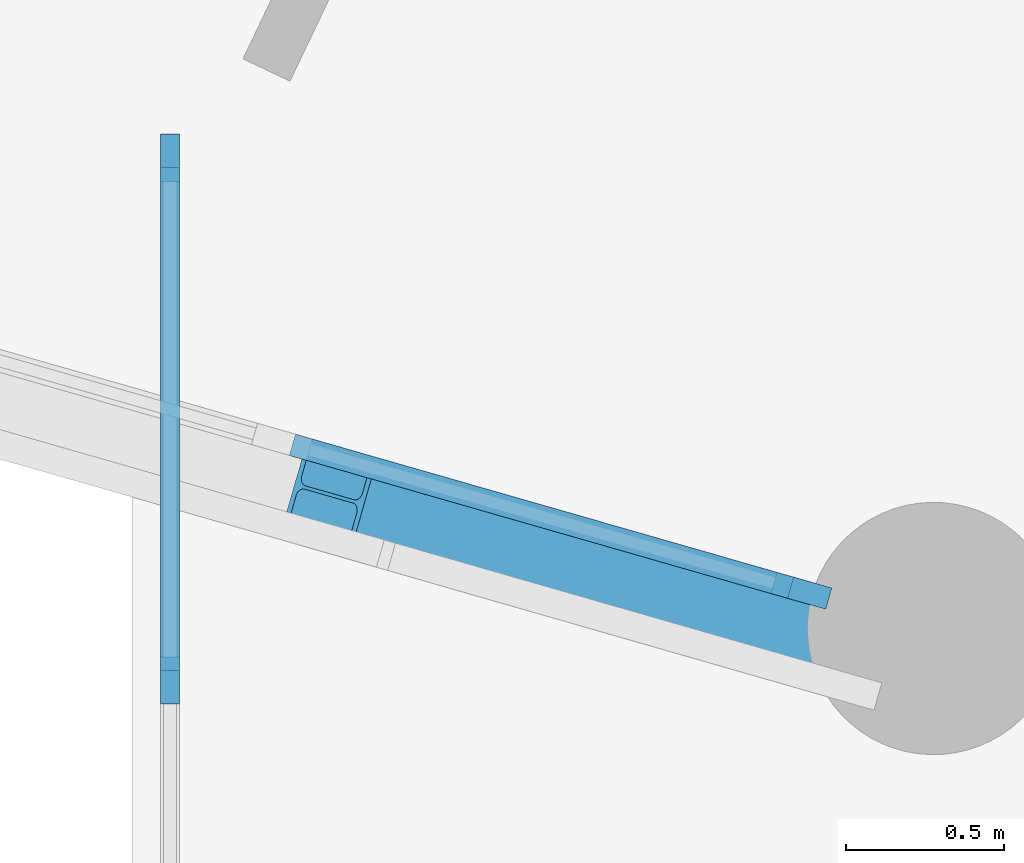
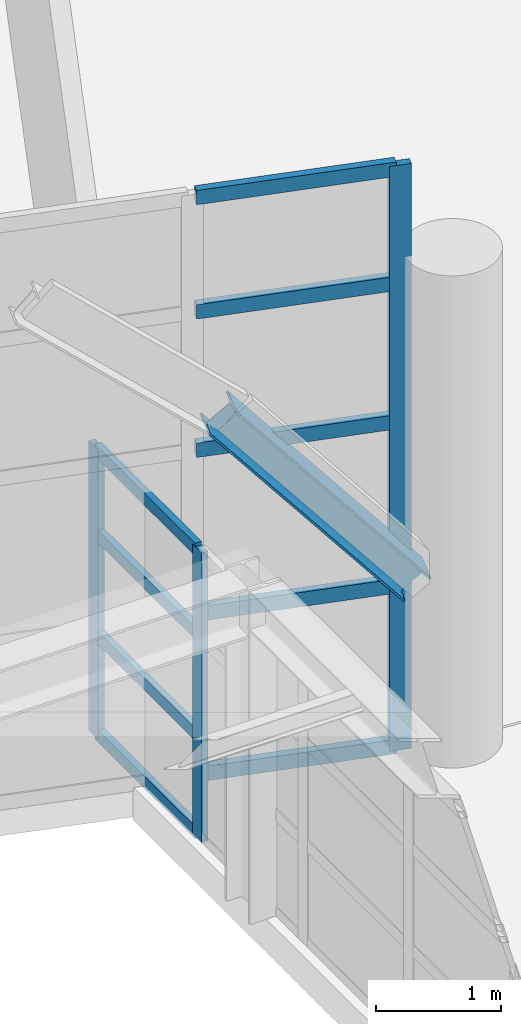
# One storey, part 23 of 109: 12 members, 1 beam, 2 elements without a shape of their own.
"""IFC4 building model written with IfcOpenShell, lengths in metres."""

import ifcopenshell
import ifcopenshell.guid

model = None  # the IFC model being written
_history = None  # IfcOwnerHistory: only IFC2X3 demands one
_inside = {}  # id of a spatial element -> (the spatial element, [elements in it])
_under = {}  # id of a project, library or spatial element -> (it, [spatial elements below it])
_declared = {}  # id of a project -> (the project, [libraries it declares])
_typed = {}  # id of a type object -> (the type object, [elements of that type])
_made_of = {}  # id of a material, layer set ... -> (it, [elements and type objects made of it])


def new_model(schema):
    """Start an empty IFC model of exactly this schema.

    Asked for "IFC4X3", IfcOpenShell would pick the latest addendum, in which some entities
    have other attributes; the version numbers below select the first issue.
    IFC2X3 requires an IfcOwnerHistory on every rooted entity: one is made here for all.
    """
    global model, _history
    if schema == "IFC4X3":
        model = ifcopenshell.file(schema_version=(4, 3, 0, 0))
    else:
        model = ifcopenshell.file(schema=schema)
    _inside.clear()
    _under.clear()
    _declared.clear()
    _typed.clear()
    _made_of.clear()
    _history = None
    if model.schema == "IFC2X3":
        org = make("IfcOrganization", Name="unknown")
        user = make(
            "IfcPersonAndOrganization",
            ThePerson=make("IfcPerson", FamilyName="unknown"),
            TheOrganization=org,
        )
        app = make(
            "IfcApplication",
            ApplicationDeveloper=org,
            Version="unknown",
            ApplicationFullName="unknown",
            ApplicationIdentifier="unknown",
        )
        _history = make(
            "IfcOwnerHistory",
            OwningUser=user,
            OwningApplication=app,
            ChangeAction="ADDED",
            CreationDate=0,
        )
    return model


def make(cls, **values):
    """One entity of the class cls with the attributes given. An attribute that is None is left unset."""
    return model.create_entity(
        cls, **{name: value for name, value in values.items() if value is not None}
    )


def rooted(cls, **values):
    """An entity with a GlobalId (a new one), such as an element, a storey or a relation."""
    return make(cls, GlobalId=ifcopenshell.guid.new(), OwnerHistory=_history, **values)


def si_unit(unit_type, name, prefix=None):
    """IfcSIUnit, for example si_unit("LENGTHUNIT", "METRE", prefix="MILLI")."""
    return make("IfcSIUnit", UnitType=unit_type, Prefix=prefix, Name=name)


def assignment(units):
    """IfcUnitAssignment: the units of a project."""
    return None if units is None else make("IfcUnitAssignment", Units=units)


def point(xyz):
    """IfcCartesianPoint."""
    return None if xyz is None else make("IfcCartesianPoint", Coordinates=xyz)


def direction(xyz):
    """IfcDirection."""
    return None if xyz is None else make("IfcDirection", DirectionRatios=xyz)


def frame(location, z_axis=None, x_axis=None):
    """IfcAxis2Placement3D, a coordinate frame: its origin and axes. An axis left out is left unset."""
    return make(
        "IfcAxis2Placement3D",
        Location=point(location),
        Axis=direction(z_axis),
        RefDirection=direction(x_axis),
    )


def frame_2d(location, x_axis=None):
    """IfcAxis2Placement2D, a coordinate frame in the plane: its origin and x axis."""
    return make(
        "IfcAxis2Placement2D", Location=point(location), RefDirection=direction(x_axis)
    )


def origin():
    """The frame at (0, 0, 0) with its axes left unset."""
    return frame((0.0, 0.0, 0.0))


def origin_2d():
    """The frame at (0, 0) in the plane with its x axis left unset."""
    return frame_2d((0.0, 0.0))


def place(relative_to, where):
    """IfcLocalPlacement: puts the frame where relative to a parent placement (None: the world)."""
    return make(
        "IfcLocalPlacement", PlacementRelTo=relative_to, RelativePlacement=where
    )


def context(
    kind, dimensions, precision=None, world=None, true_north=None, identifier=None
):
    """IfcGeometricRepresentationContext, for example the 3D "Model" context."""
    return make(
        "IfcGeometricRepresentationContext",
        ContextIdentifier=identifier,
        ContextType=kind,
        CoordinateSpaceDimension=dimensions,
        Precision=precision,
        WorldCoordinateSystem=world,
        TrueNorth=true_north,
    )


def subcontext(parent, identifier, kind, view, scale=None):
    """IfcGeometricRepresentationSubContext, for example "Body" below "Model"."""
    return make(
        "IfcGeometricRepresentationSubContext",
        ContextIdentifier=identifier,
        ContextType=kind,
        ParentContext=parent,
        TargetScale=scale,
        TargetView=view,
    )


def project(units=None, contexts=None):
    """IfcProject with its units and contexts."""
    return rooted(
        "IfcProject",
        Name="project",
        RepresentationContexts=contexts,
        UnitsInContext=assignment(units),
    )


def spatial(cls, under=None, at=None, **own):
    """A site, building, storey or space (cls), placed at a placement, below another one or the project."""
    s = rooted(cls, ObjectPlacement=at, **own)
    if under is not None:
        _under.setdefault(under.id(), (under, []))[1].append(s)
    return s


def profile(cls, at=None, kind="AREA", **sizes):
    """A parametric profile (cls). Its sizes go by their IFC names, for example OverallWidth=200.0."""
    return make(cls, ProfileType=kind, Position=at, **sizes)


def rectangle(**sizes):
    """IfcRectangleProfileDef."""
    return profile("IfcRectangleProfileDef", **sizes)


def i_section(**sizes):
    """IfcIShapeProfileDef."""
    return profile("IfcIShapeProfileDef", **sizes)


def extrude(swept, where, along, depth):
    """IfcExtrudedAreaSolid: the profile swept, set in the frame where, extruded along a direction by depth."""
    return make(
        "IfcExtrudedAreaSolid",
        SweptArea=swept,
        Position=where,
        ExtrudedDirection=direction(along),
        Depth=depth,
    )


def shape(context_of_items, identifier, shape_type, items):
    """IfcShapeRepresentation: the items that make up one representation, for example the "Body"."""
    return make(
        "IfcShapeRepresentation",
        ContextOfItems=context_of_items,
        RepresentationIdentifier=identifier,
        RepresentationType=shape_type,
        Items=items,
    )


def material(Name=None, Category=None):
    """IfcMaterial."""
    return make("IfcMaterial", Name=Name, Category=Category)


def layer(
    of_material, thickness, ventilated=None, Name=None, Category=None, Priority=None
):
    """IfcMaterialLayer: one layer of a wall or slab, of a material (None: an air gap)."""
    return make(
        "IfcMaterialLayer",
        Material=of_material,
        LayerThickness=thickness,
        IsVentilated=ventilated,
        Name=Name,
        Category=Category,
        Priority=Priority,
    )


def layer_set(layers, Name=None):
    """IfcMaterialLayerSet."""
    return make("IfcMaterialLayerSet", MaterialLayers=layers, LayerSetName=Name)


def material_profile(
    of_material, cross_section, Name=None, Category=None, Priority=None
):
    """IfcMaterialProfile: a cross section and its material."""
    return make(
        "IfcMaterialProfile",
        Name=Name,
        Material=of_material,
        Profile=cross_section,
        Priority=Priority,
        Category=Category,
    )


def profile_set(profiles, Name=None, composite=None):
    """IfcMaterialProfileSet."""
    return make(
        "IfcMaterialProfileSet",
        Name=Name,
        MaterialProfiles=profiles,
        CompositeProfile=composite,
    )


def made_of(thing, what):
    """Note that an element or type object is made of a material, layer set ...; save() writes the relation."""
    if what is not None:
        _made_of.setdefault(what.id(), (what, []))[1].append(thing)
    return thing


def type_object(cls, material=None, **own):
    """A type object (cls), such as IfcWallType, which elements share."""
    return made_of(rooted(cls, **own), material)


def element(
    cls,
    number,
    at=None,
    inside=None,
    cuts=None,
    type_object=None,
    material=None,
    context=None,
    identifier="Body",
    shape_type=None,
    held_by="IfcProductDefinitionShape",
    body=None,
    shapes=None,
    **own,
):
    """One element of the class cls, such as IfcWall. Its Tag is "e" and its number.

    at: its placement. inside: the storey or other place that contains it. cuts: it is an
    opening in that element (IfcRelVoidsElement). A single representation is given by context,
    identifier, shape_type and body (its items); several are given by shapes. held_by: the class
    of the entity that holds the representations. save() writes the other relations.
    """
    e = rooted(cls, Tag="e%d" % number, ObjectPlacement=at, **own)
    if body is not None:
        shapes = [shape(context, identifier, shape_type, body)]
    if shapes is not None:
        e.Representation = make(held_by, Representations=shapes)
    if inside is not None:
        _inside.setdefault(inside.id(), (inside, []))[1].append(e)
    if cuts is not None:
        rooted(
            "IfcRelVoidsElement", RelatingBuildingElement=cuts, RelatedOpeningElement=e
        )
    if type_object is not None:
        _typed.setdefault(type_object.id(), (type_object, []))[1].append(e)
    return made_of(e, material)


def aggregate(whole, parts):
    """IfcRelAggregates: a whole, such as a stair, and the parts it consists of."""
    return rooted("IfcRelAggregates", RelatingObject=whole, RelatedObjects=parts)


def save(model, path):
    """Write the relations noted so far, then the file.

    IfcRelAggregates (storeys below a building ...), IfcRelContainedInSpatialStructure (elements
    in a storey), IfcRelDefinesByType, IfcRelAssociatesMaterial and IfcRelDeclares: one each for
    every whole, place, type object, material and project.
    """
    for whole, parts in _under.values():
        aggregate(whole, parts)
    for where, things in _inside.values():
        rooted(
            "IfcRelContainedInSpatialStructure",
            RelatedElements=things,
            RelatingStructure=where,
        )
    for kind, things in _typed.values():
        rooted("IfcRelDefinesByType", RelatedObjects=things, RelatingType=kind)
    for what, things in _made_of.values():
        rooted("IfcRelAssociatesMaterial", RelatedObjects=things, RelatingMaterial=what)
    for by, libraries in _declared.values():
        rooted("IfcRelDeclares", RelatingContext=by, RelatedDefinitions=libraries)
    model.write(path)


model = new_model("IFC4")

# Units and contexts
model_context = context("Model", 3, precision=1e-05, world=origin(), true_north=direction((0.0, 1.0)))
body_context = subcontext(model_context, "Body", "Model", "MODEL_VIEW")
ifc_project = project(units=[si_unit("LENGTHUNIT", "METRE"), si_unit("AREAUNIT", "SQUARE_METRE"), si_unit("VOLUMEUNIT", "CUBIC_METRE"), si_unit("PLANEANGLEUNIT", "RADIAN"), si_unit("MASSUNIT", "GRAM", prefix="KILO")], contexts=[model_context])

# Site, building, storey
site_placement = place(None, origin())
site = spatial("IfcSite", under=ifc_project, at=site_placement, CompositionType="ELEMENT")
building_placement = place(site_placement, origin())
building = spatial("IfcBuilding", under=site, at=building_placement, Name="Kivolera Central Railway Station", CompositionType="ELEMENT")
storey_placement = place(building_placement, frame((0.0, 0.0, 9.60009765625)))
storey = spatial("IfcBuildingStorey", under=building, at=storey_placement, Name="L02", CompositionType="ELEMENT", Elevation=9.60009765625)

# Beam
ifc_material_1 = material(Name="Steel S355", Category="steel")
ifc_material_profile_1 = material_profile(ifc_material_1, i_section(OverallWidth=0.300048828125, OverallDepth=0.300048828125, WebThickness=0.010986328125, FlangeThickness=0.01904296875, FilletRadius=0.027099609375, at=origin_2d()), Name="HEB 300")
ifc_profile_set_1 = profile_set([ifc_material_profile_1], Name="Steel S355")
beam_type = type_object("IfcBeamType", Name="BM-LANT-ARCH", PredefinedType="SPANDREL", material=ifc_profile_set_1)
beam_placement = place(storey_placement, frame((48.625, 55.652099609375, 3.599853515625), z_axis=(0.620093626419, -0.17819346611, -0.764022894363), x_axis=(0.276187953411, 0.961103643938, 0.0)))
element("IfcBeam", 1, at=beam_placement, inside=storey, type_object=beam_type, Name="Oval Lantern Structural Arch Rib 17.6", PredefinedType="SPANDREL", context=body_context, shape_type="SweptSolid", body=[
    extrude(i_section(OverallWidth=0.300048828125, OverallDepth=0.300048828125, WebThickness=0.010986328125, FlangeThickness=0.01904296875, FilletRadius=0.027099609375, at=origin_2d()), origin(), (0.0, 0.0, 1.0), 2.48681640625),
])

# Curtain wall, member
ifc_material_2 = material(Name="Anodised aluminium", Category="aluminium")
ifc_layer_1 = layer(ifc_material_2, 0.179931640625, Name="Anodised aluminium")
ifc_layer_set_1 = layer_set([ifc_layer_1], Name="Anodised aluminium")
curtain_wall_type_1 = type_object("IfcCurtainWallType", Name="CW-SYS-11", PredefinedType="NOTDEFINED", material=ifc_layer_set_1)
curtain_wall_1_placement = place(storey_placement, origin())
curtain_wall_1 = element("IfcCurtainWall", 2, at=curtain_wall_1_placement, inside=storey, type_object=curtain_wall_type_1, Name="L02 Curtain Wall CW-L02-OVL-16", PredefinedType="NOTDEFINED")
ifc_material_profile_2 = material_profile(ifc_material_2, rectangle(XDim=0.070068359375, YDim=0.179931640625, at=origin_2d()), Name="ALU MULL 70x180")
ifc_profile_set_2 = profile_set([ifc_material_profile_2], Name="Anodised aluminium")
member_type_1 = type_object("IfcMemberType", Name="CWM-MUL-1", PredefinedType="MULLION", material=ifc_profile_set_2)
member_1_placement = place(storey_placement, frame((50.122314453125, 55.3466796875, -0.005126953125), z_axis=(0.0, 0.0, 1.0), x_axis=(-0.27569168989, -0.961246114232, 0.0)))
member_1 = element("IfcMember", 3, at=member_1_placement, type_object=member_type_1, Name="CW-11 mullion 1", PredefinedType="MULLION", context=body_context, shape_type="SweptSolid", body=[
    extrude(rectangle(XDim=0.070068359375, YDim=0.179931640625, at=origin_2d()), origin(), (0.0, 0.0, 1.0), 5.705078125),
])

# Curtain wall, members
ifc_layer_2 = layer(ifc_material_2, 0.179931640625, Name="Anodised aluminium")
ifc_layer_set_2 = layer_set([ifc_layer_2], Name="Anodised aluminium")
curtain_wall_type_2 = type_object("IfcCurtainWallType", Name="CW-SYS-19", PredefinedType="NOTDEFINED", material=ifc_layer_set_2)
curtain_wall_2_placement = place(storey_placement, origin())
curtain_wall_2 = element("IfcCurtainWall", 4, at=curtain_wall_2_placement, inside=storey, type_object=curtain_wall_type_2, Name="L02 Curtain Wall CW-L02-BRGW-4", PredefinedType="NOTDEFINED")
ifc_material_profile_3 = material_profile(ifc_material_2, rectangle(XDim=0.06005859375, YDim=0.14990234375, at=origin_2d()), Name="ALU MULL 60x150")
ifc_profile_set_3 = profile_set([ifc_material_profile_3], Name="Anodised aluminium")
member_type_2 = type_object("IfcMemberType", Name="CWM-MUL-2", PredefinedType="MULLION", material=ifc_profile_set_3)
member_2_placement = place(storey_placement, frame((48.1201171875, 55.06201171875, -0.005126953125), z_axis=(0.0, 0.0, 1.0), x_axis=(-1.0, 0.0, 0.0)))
member_2 = element("IfcMember", 5, at=member_2_placement, type_object=member_type_2, Name="CW-19 mullion 5", PredefinedType="MULLION", context=body_context, shape_type="SweptSolid", body=[
    extrude(rectangle(XDim=0.06005859375, YDim=0.14990234375, at=origin_2d()), origin(), (0.0, 0.0, 1.0), 2.824951171875),
])
member_3_placement = place(storey_placement, frame((48.1201171875, 56.719970703125, -0.005126953125), z_axis=(0.0, 0.0, 1.0), x_axis=(-1.0, 0.0, 0.0)))
member_3 = element("IfcMember", 6, at=member_3_placement, type_object=member_type_2, Name="CW-19 mullion 6", PredefinedType="MULLION", context=body_context, shape_type="SweptSolid", body=[
    extrude(rectangle(XDim=0.06005859375, YDim=0.14990234375, at=origin_2d()), origin(), (0.0, 0.0, 1.0), 2.824951171875),
])

# Member
ifc_material_profile_4 = material_profile(ifc_material_2, rectangle(XDim=0.070068359375, YDim=0.139892578125, at=origin_2d()), Name="ALU TRAN 70x140")
ifc_profile_set_4 = profile_set([ifc_material_profile_4], Name="Anodised aluminium")
member_type_3 = type_object("IfcMemberType", Name="CWM-TRN-1", PredefinedType="USERDEFINED", material=ifc_profile_set_4)
member_4_placement = place(storey_placement, frame((50.088623046875, 55.356201171875, 0.034912109375), z_axis=(-0.961237680042, 0.275721095434, 0.0), x_axis=(-0.275721095434, -0.961237680042, 0.0)))
member_4 = element("IfcMember", 7, at=member_4_placement, type_object=member_type_3, Name="CW-11 transom 1.1", ObjectType="TRANSOM", PredefinedType="USERDEFINED", context=body_context, shape_type="SweptSolid", body=[
    extrude(rectangle(XDim=0.070068359375, YDim=0.139892578125, at=origin_2d()), origin(), (0.0, 0.0, 1.0), 1.644287109375),
])

member_5_placement = place(storey_placement, frame((50.088623046875, 55.356201171875, 1.599853515625), z_axis=(-0.961237680042, 0.275721095434, 0.0), x_axis=(-0.275721095434, -0.961237680042, 0.0)))
member_5 = element("IfcMember", 8, at=member_5_placement, type_object=member_type_3, Name="CW-11 transom 1.2", ObjectType="TRANSOM", PredefinedType="USERDEFINED", context=body_context, shape_type="SweptSolid", body=[
    extrude(rectangle(XDim=0.070068359375, YDim=0.139892578125, at=origin_2d()), origin(), (0.0, 0.0, 1.0), 1.644287109375),
])

member_6_placement = place(storey_placement, frame((50.088623046875, 55.356201171875, 3.199951171875), z_axis=(-0.961237680042, 0.275721095434, 0.0), x_axis=(-0.275721095434, -0.961237680042, 0.0)))
member_6 = element("IfcMember", 9, at=member_6_placement, type_object=member_type_3, Name="CW-11 transom 1.3", ObjectType="TRANSOM", PredefinedType="USERDEFINED", context=body_context, shape_type="SweptSolid", body=[
    extrude(rectangle(XDim=0.070068359375, YDim=0.139892578125, at=origin_2d()), origin(), (0.0, 0.0, 1.0), 1.644287109375),
])

member_7_placement = place(storey_placement, frame((50.088623046875, 55.356201171875, 4.5498046875), z_axis=(-0.961237680042, 0.275721095434, 0.0), x_axis=(-0.275721095434, -0.961237680042, 0.0)))
member_7 = element("IfcMember", 10, at=member_7_placement, type_object=member_type_3, Name="CW-11 transom 1.4", ObjectType="TRANSOM", PredefinedType="USERDEFINED", context=body_context, shape_type="SweptSolid", body=[
    extrude(rectangle(XDim=0.070068359375, YDim=0.139892578125, at=origin_2d()), origin(), (0.0, 0.0, 1.0), 1.644287109375),
])

member_8_placement = place(storey_placement, frame((50.088623046875, 55.356201171875, 5.664794921875), z_axis=(-0.961237680042, 0.275721095434, 0.0), x_axis=(-0.275721095434, -0.961237680042, 0.0)))
member_8 = element("IfcMember", 11, at=member_8_placement, type_object=member_type_3, Name="CW-11 transom 1.5", ObjectType="TRANSOM", PredefinedType="USERDEFINED", context=body_context, shape_type="SweptSolid", body=[
    extrude(rectangle(XDim=0.070068359375, YDim=0.139892578125, at=origin_2d()), origin(), (0.0, 0.0, 1.0), 1.644287109375),
])

aggregate(curtain_wall_1, [member_1, member_4, member_5, member_6, member_7, member_8])

ifc_material_profile_5 = material_profile(ifc_material_2, rectangle(XDim=0.06005859375, YDim=0.1201171875, at=origin_2d()), Name="ALU TRAN 60x120")
ifc_profile_set_5 = profile_set([ifc_material_profile_5], Name="Anodised aluminium")
member_type_4 = type_object("IfcMemberType", Name="CWM-TRN-2", PredefinedType="USERDEFINED", material=ifc_profile_set_5)
member_9_placement = place(storey_placement, frame((48.1201171875, 55.092041015625, 0.02978515625), z_axis=(0.0, 1.0, 0.0), x_axis=(-1.0, 0.0, 0.0)))
member_9 = element("IfcMember", 12, at=member_9_placement, type_object=member_type_4, Name="CW-19 transom 5.1", ObjectType="TRANSOM", PredefinedType="USERDEFINED", context=body_context, shape_type="SweptSolid", body=[
    extrude(rectangle(XDim=0.06005859375, YDim=0.1201171875, at=origin_2d()), origin(), (0.0, 0.0, 1.0), 1.597900390625),
])

member_10_placement = place(storey_placement, frame((48.1201171875, 55.092041015625, 0.98681640625), z_axis=(0.0, 1.0, 0.0), x_axis=(-1.0, 0.0, 0.0)))
member_10 = element("IfcMember", 13, at=member_10_placement, type_object=member_type_4, Name="CW-19 transom 5.2", ObjectType="TRANSOM", PredefinedType="USERDEFINED", context=body_context, shape_type="SweptSolid", body=[
    extrude(rectangle(XDim=0.06005859375, YDim=0.1201171875, at=origin_2d()), origin(), (0.0, 0.0, 1.0), 1.597900390625),
])

member_11_placement = place(storey_placement, frame((48.1201171875, 55.092041015625, 1.973876953125), z_axis=(0.0, 1.0, 0.0), x_axis=(-1.0, 0.0, 0.0)))
member_11 = element("IfcMember", 14, at=member_11_placement, type_object=member_type_4, Name="CW-19 transom 5.3", ObjectType="TRANSOM", PredefinedType="USERDEFINED", context=body_context, shape_type="SweptSolid", body=[
    extrude(rectangle(XDim=0.06005859375, YDim=0.1201171875, at=origin_2d()), origin(), (0.0, 0.0, 1.0), 1.597900390625),
])

member_12_placement = place(storey_placement, frame((48.1201171875, 55.092041015625, 2.789794921875), z_axis=(0.0, 1.0, 0.0), x_axis=(-1.0, 0.0, 0.0)))
member_12 = element("IfcMember", 15, at=member_12_placement, type_object=member_type_4, Name="CW-19 transom 5.4", ObjectType="TRANSOM", PredefinedType="USERDEFINED", context=body_context, shape_type="SweptSolid", body=[
    extrude(rectangle(XDim=0.06005859375, YDim=0.1201171875, at=origin_2d()), origin(), (0.0, 0.0, 1.0), 1.597900390625),
])

aggregate(curtain_wall_2, [member_2, member_3, member_9, member_10, member_11, member_12])

save(model, "model.ifc")
